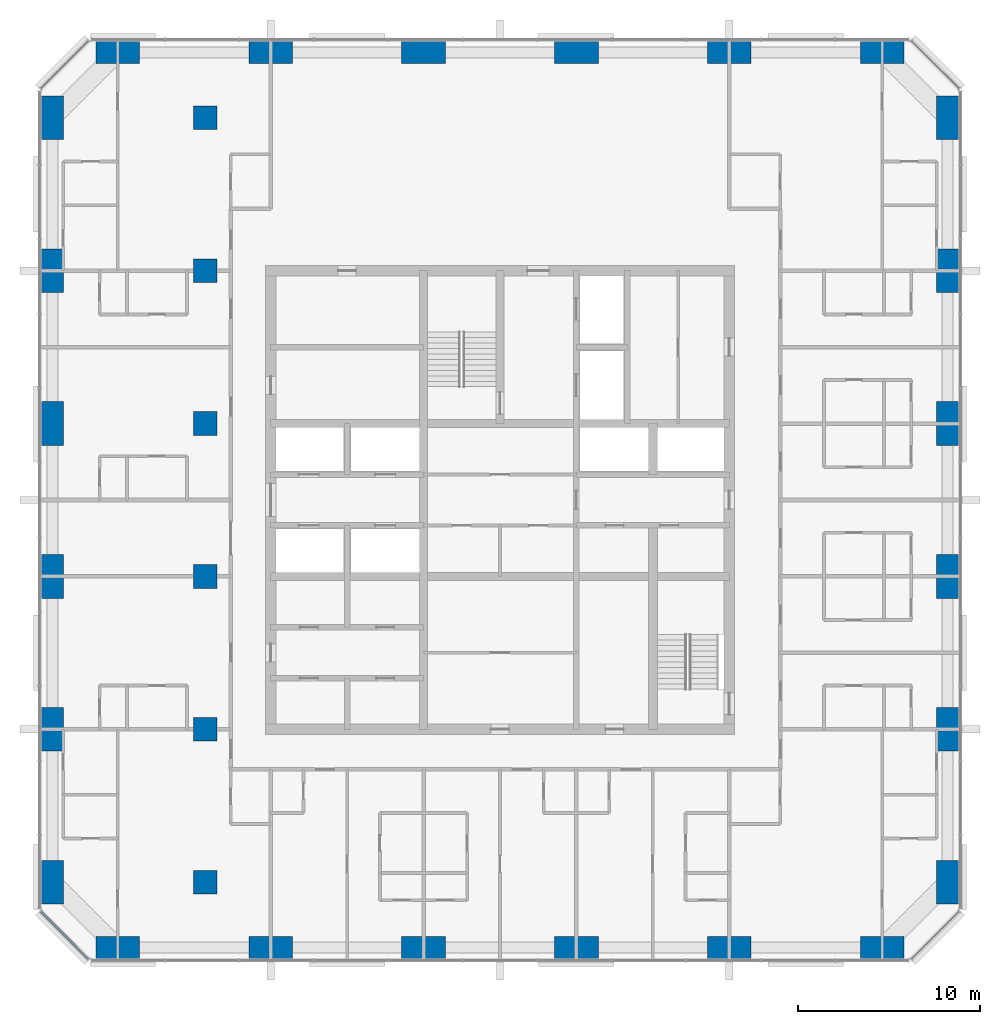
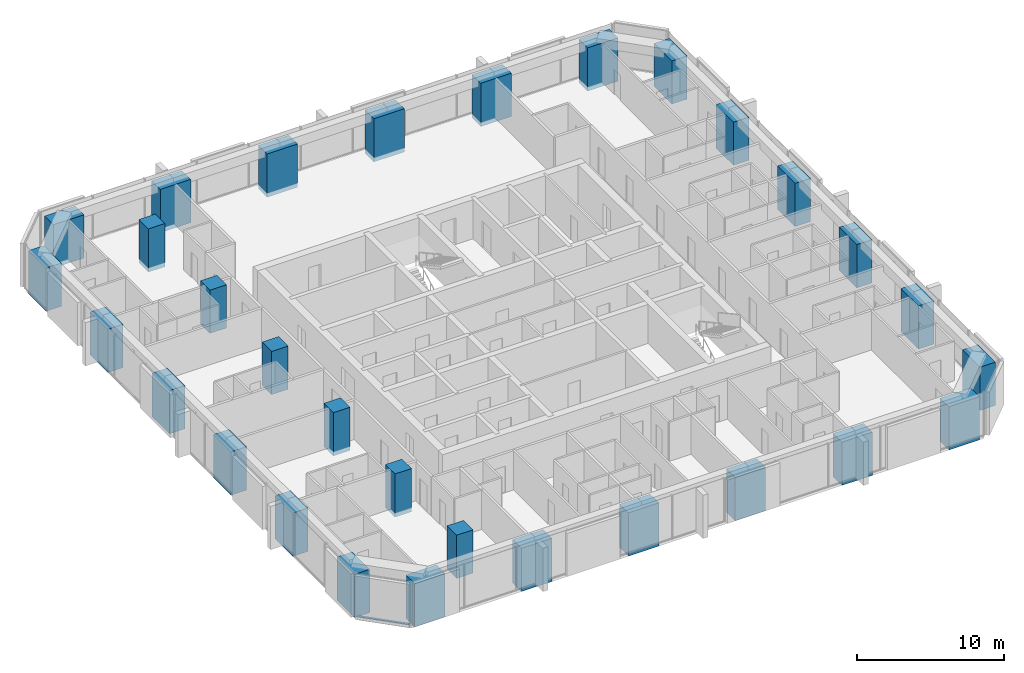
# One storey, part 1 of 14: 30 columns, 1 member, 1 element without a shape of its own.
"""IFC4 building model written with IfcOpenShell, lengths in metres."""

from ifc_helpers import new_model, si_unit, direction, frame, origin, origin_2d, place, context, subcontext, project, spatial, rectangle, extrude, material, material_profile, profile_set, type_object, element, aggregate, save


model = new_model("IFC4")

# Units and contexts
model_context = context("Model", 3, precision=1e-05, world=origin(), true_north=direction((0.0, 1.0)))
body_context = subcontext(model_context, "Body", "Model", "MODEL_VIEW")
ifc_project = project(units=[si_unit("LENGTHUNIT", "METRE"), si_unit("AREAUNIT", "SQUARE_METRE"), si_unit("VOLUMEUNIT", "CUBIC_METRE"), si_unit("PLANEANGLEUNIT", "RADIAN"), si_unit("MASSUNIT", "GRAM", prefix="KILO")], contexts=[model_context])

# Site, building, storey
site_placement = place(None, origin())
site = spatial("IfcSite", under=ifc_project, at=site_placement, CompositionType="ELEMENT")
building_placement = place(site_placement, origin())
building = spatial("IfcBuilding", under=site, at=building_placement, Name="Dunama Terrace Hotel", CompositionType="ELEMENT")
storey_placement = place(building_placement, frame((0.0, 0.0, 184.199951171875)))
storey = spatial("IfcBuildingStorey", under=building, at=storey_placement, Name="L47", CompositionType="ELEMENT", Elevation=184.199951171875)

# Columns
ifc_material_1 = material(Name="Concrete C60/75", Category="concrete")
ifc_material_profile_1 = material_profile(ifc_material_1, rectangle(XDim=1.199951171875, YDim=2.39990234375, at=origin_2d()), Name="RC 1200x2400")
ifc_profile_set_1 = profile_set([ifc_material_profile_1], Name="Concrete C60/75")
column_type_1 = type_object("IfcColumnType", Name="Column RC 1200x2400", PredefinedType="COLUMN", material=ifc_profile_set_1)
for number, where, z_axis, x_axis, name in (
    (1, (4.800048828125, 8.39990234375, -0.349853515625), (0.0, 0.0, 1.0), (1.0, 0.0, 0.0), "Column L47 +4.8/+8.4"),
    (2, (4.800048828125, 16.800048828125, -0.349853515625), (0.0, 0.0, 1.0), (1.0, 0.0, 0.0), "Column L47 +4.8/+16.8"),
    (3, (4.800048828125, 25.199951171875, -0.349853515625), (0.0, 0.0, 1.0), (1.0, 0.0, 0.0), "Column L47 +4.8/+25.2"),
    (4, (4.800048828125, 33.60009765625, -0.349853515625), (0.0, 0.0, 1.0), (1.0, 0.0, 0.0), "Column L47 +4.8/+33.6"),
    (5, (4.800048828125, 42.0, -0.349853515625), (0.0, 0.0, 1.0), (1.0, 0.0, 0.0), "Column L47 +4.8/+42.0"),
    (6, (4.800048828125, 50.39990234375, -0.349853515625), (0.0, 0.0, 1.0), (1.0, 0.0, 0.0), "Column L47 +4.8/+50.4"),
    (7, (54.0, 8.39990234375, -0.349853515625), (0.0, 0.0, 1.0), (1.0, 0.0, 0.0), "Column L47 +54.0/+8.4"),
    (8, (54.0, 16.800048828125, -0.349853515625), (0.0, 0.0, 1.0), (1.0, 0.0, 0.0), "Column L47 +54.0/+16.8"),
    (9, (54.0, 25.199951171875, -0.349853515625), (0.0, 0.0, 1.0), (1.0, 0.0, 0.0), "Column L47 +54.0/+25.2"),
    (10, (54.0, 33.60009765625, -0.349853515625), (0.0, 0.0, 1.0), (1.0, 0.0, 0.0), "Column L47 +54.0/+33.6"),
    (11, (54.0, 42.0, -0.349853515625), (0.0, 0.0, 1.0), (1.0, 0.0, 0.0), "Column L47 +54.0/+42.0"),
    (12, (54.0, 50.39990234375, -0.349853515625), (0.0, 0.0, 1.0), (1.0, 0.0, 0.0), "Column L47 +54.0/+50.4"),
):
    element("IfcColumn", number, at=place(storey_placement, frame(where, z_axis=z_axis, x_axis=x_axis)), inside=storey, type_object=column_type_1, Name=name, PredefinedType="COLUMN", context=body_context, shape_type="SweptSolid", body=[
        extrude(rectangle(XDim=1.199951171875, YDim=2.39990234375, at=origin_2d()), origin(), (0.0, 0.0, 1.0), 3.599853515625),
    ])
ifc_material_2 = material(Name="Concrete C60/75", Category="concrete")
ifc_material_profile_2 = material_profile(ifc_material_2, rectangle(XDim=1.300048828125, YDim=1.300048828125, at=origin_2d()), Name="RC 1300x1300")
ifc_profile_set_2 = profile_set([ifc_material_profile_2], Name="Concrete C60/75")
column_type_2 = type_object("IfcColumnType", Name="Column RC 1300x1300", PredefinedType="COLUMN", material=ifc_profile_set_2)
for number, where, z_axis, x_axis, name in (
    (13, (13.199951171875, 8.39990234375, -0.349853515625), (0.0, 0.0, 1.0), (1.0, 0.0, 0.0), "Column L47 +13.2/+8.4"),
    (14, (13.199951171875, 16.800048828125, -0.349853515625), (0.0, 0.0, 1.0), (1.0, 0.0, 0.0), "Column L47 +13.2/+16.8"),
    (15, (13.199951171875, 25.199951171875, -0.349853515625), (0.0, 0.0, 1.0), (1.0, 0.0, 0.0), "Column L47 +13.2/+25.2"),
    (16, (13.199951171875, 33.60009765625, -0.349853515625), (0.0, 0.0, 1.0), (1.0, 0.0, 0.0), "Column L47 +13.2/+33.6"),
    (17, (13.199951171875, 42.0, -0.349853515625), (0.0, 0.0, 1.0), (1.0, 0.0, 0.0), "Column L47 +13.2/+42.0"),
    (18, (13.199951171875, 50.39990234375, -0.349853515625), (0.0, 0.0, 1.0), (1.0, 0.0, 0.0), "Column L47 +13.2/+50.4"),
):
    element("IfcColumn", number, at=place(storey_placement, frame(where, z_axis=z_axis, x_axis=x_axis)), inside=storey, type_object=column_type_2, Name=name, PredefinedType="COLUMN", context=body_context, shape_type="SweptSolid", body=[
        extrude(rectangle(XDim=1.300048828125, YDim=1.300048828125, at=origin_2d()), origin(), (0.0, 0.0, 1.0), 3.599853515625),
    ])
ifc_material_3 = material(Name="Concrete C60/75", Category="concrete")
ifc_material_profile_3 = material_profile(ifc_material_3, rectangle(XDim=2.39990234375, YDim=1.199951171875, at=origin_2d()), Name="RC 2400x1200")
ifc_profile_set_3 = profile_set([ifc_material_profile_3], Name="Concrete C60/75")
column_type_3 = type_object("IfcColumnType", Name="Column RC 2400x1200", PredefinedType="COLUMN", material=ifc_profile_set_3)
for number, where, z_axis, x_axis, name in (
    (19, (8.39990234375, 4.800048828125, -0.349853515625), (0.0, 0.0, 1.0), (1.0, 0.0, 0.0), "Column L47 +8.4/+4.8"),
    (20, (8.39990234375, 54.0, -0.349853515625), (0.0, 0.0, 1.0), (1.0, 0.0, 0.0), "Column L47 +8.4/+54.0"),
    (21, (16.800048828125, 4.800048828125, -0.349853515625), (0.0, 0.0, 1.0), (1.0, 0.0, 0.0), "Column L47 +16.8/+4.8"),
    (22, (16.800048828125, 54.0, -0.349853515625), (0.0, 0.0, 1.0), (1.0, 0.0, 0.0), "Column L47 +16.8/+54.0"),
    (23, (25.199951171875, 4.800048828125, -0.349853515625), (0.0, 0.0, 1.0), (1.0, 0.0, 0.0), "Column L47 +25.2/+4.8"),
    (24, (25.199951171875, 54.0, -0.349853515625), (0.0, 0.0, 1.0), (1.0, 0.0, 0.0), "Column L47 +25.2/+54.0"),
    (25, (33.60009765625, 4.800048828125, -0.349853515625), (0.0, 0.0, 1.0), (1.0, 0.0, 0.0), "Column L47 +33.6/+4.8"),
    (26, (33.60009765625, 54.0, -0.349853515625), (0.0, 0.0, 1.0), (1.0, 0.0, 0.0), "Column L47 +33.6/+54.0"),
    (27, (42.0, 4.800048828125, -0.349853515625), (0.0, 0.0, 1.0), (1.0, 0.0, 0.0), "Column L47 +42.0/+4.8"),
    (28, (42.0, 54.0, -0.349853515625), (0.0, 0.0, 1.0), (1.0, 0.0, 0.0), "Column L47 +42.0/+54.0"),
    (29, (50.39990234375, 4.800048828125, -0.349853515625), (0.0, 0.0, 1.0), (1.0, 0.0, 0.0), "Column L47 +50.4/+4.8"),
    (30, (50.39990234375, 54.0, -0.349853515625), (0.0, 0.0, 1.0), (1.0, 0.0, 0.0), "Column L47 +50.4/+54.0"),
):
    element("IfcColumn", number, at=place(storey_placement, frame(where, z_axis=z_axis, x_axis=x_axis)), inside=storey, type_object=column_type_3, Name=name, PredefinedType="COLUMN", context=body_context, shape_type="SweptSolid", body=[
        extrude(rectangle(XDim=2.39990234375, YDim=1.199951171875, at=origin_2d()), origin(), (0.0, 0.0, 1.0), 3.599853515625),
    ])

# Curtain wall, member
ifc_material_4 = material(Name="Aluminium curtain wall system", Category="aluminium")
curtain_wall_type = type_object("IfcCurtainWallType", Name="Unitised fritted glass wall CW-C", PredefinedType="NOTDEFINED", material=ifc_material_4)
curtain_wall_placement = place(storey_placement, origin())
curtain_wall = element("IfcCurtainWall", 31, at=curtain_wall_placement, inside=storey, type_object=curtain_wall_type, Name="Unitised fritted glass wall CW-C L47", PredefinedType="NOTDEFINED")
ifc_material_5 = material(Name="Aluminium transom", Category="aluminium")
ifc_material_profile_4 = material_profile(ifc_material_5, rectangle(XDim=0.159912109375, YDim=0.080078125, at=origin_2d()), Name="CWC TRANSOM 160X80")
ifc_profile_set_4 = profile_set([ifc_material_profile_4], Name="Aluminium transom")
member_type = type_object("IfcMemberType", Name="CWC transom 160x80", PredefinedType="USERDEFINED", material=ifc_profile_set_4)
member_placement = place(storey_placement, frame((4.178955078125, 6.780029296875, 0.0400390625), z_axis=(0.707106781187, -0.707106781187, 0.0), x_axis=(0.707106781187, 0.707106781187, 0.0)))
member = element("IfcMember", 32, at=member_placement, type_object=member_type, Name="CWC transom", ObjectType="TRANSOM", PredefinedType="USERDEFINED", context=body_context, shape_type="SweptSolid", body=[
    extrude(rectangle(XDim=0.159912109375, YDim=0.080078125, at=origin_2d()), origin(), (0.0, 0.0, 1.0), 3.678466796875),
])
aggregate(curtain_wall, [member])

save(model, "model.ifc")
